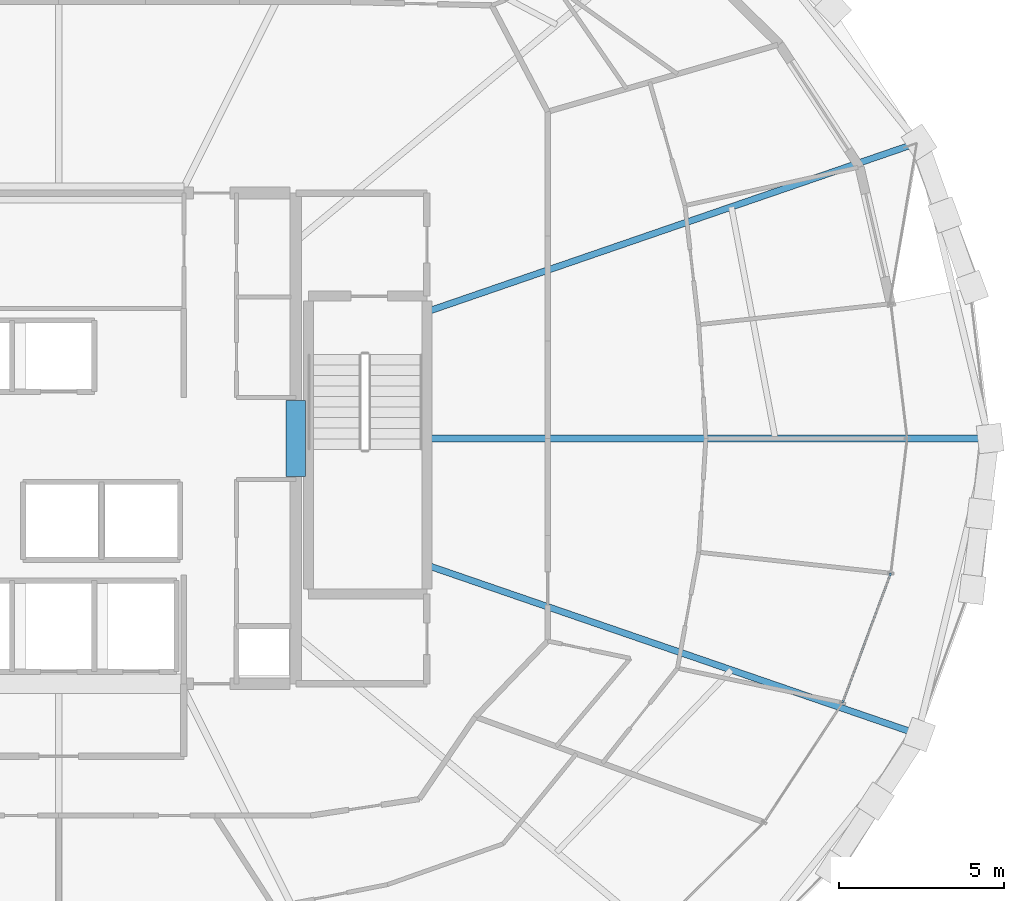
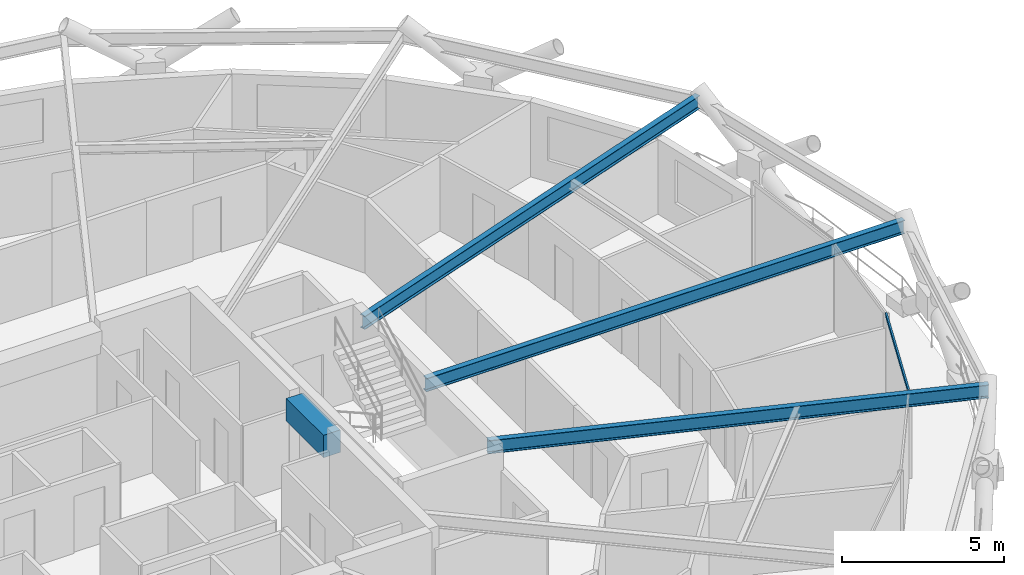
# One storey, part 10 of 20: 4 beams, 1 member, 1 element without a shape of its own.
"""IFC4 building model written with IfcOpenShell, lengths in metres."""

from ifc_helpers import new_model, si_unit, direction, frame, origin, origin_2d, place, context, subcontext, project, spatial, rectangle, hollow_rectangle, i_section, extrude, material, layer, layer_set, material_profile, profile_set, type_object, element, aggregate, save


model = new_model("IFC4")

# Units and contexts
model_context = context("Model", 3, precision=1e-05, world=origin(), true_north=direction((0.0, 1.0)))
body_context = subcontext(model_context, "Body", "Model", "MODEL_VIEW")
ifc_project = project(units=[si_unit("LENGTHUNIT", "METRE"), si_unit("AREAUNIT", "SQUARE_METRE"), si_unit("VOLUMEUNIT", "CUBIC_METRE"), si_unit("PLANEANGLEUNIT", "RADIAN"), si_unit("MASSUNIT", "GRAM", prefix="KILO")], contexts=[model_context])

# Site, building, storey
site_placement = place(None, origin())
site = spatial("IfcSite", under=ifc_project, at=site_placement, CompositionType="ELEMENT")
building_placement = place(site_placement, origin())
building = spatial("IfcBuilding", under=site, at=building_placement, Name="Veldorina Hangang Commons", CompositionType="ELEMENT")
storey_placement = place(building_placement, frame((0.0, 0.0, 153.199951171875)))
storey = spatial("IfcBuildingStorey", under=building, at=storey_placement, Name="L39", CompositionType="ELEMENT", Elevation=153.199951171875)

# Beams
ifc_material_1 = material(Name="Concrete C60/75", Category="concrete")
ifc_material_profile_1 = material_profile(ifc_material_1, rectangle(XDim=0.60009765625, YDim=0.85009765625, at=origin_2d()), Name="RC-CB-600x850")
ifc_profile_set_1 = profile_set([ifc_material_profile_1], Name="Concrete C60/75")
beam_type_1 = type_object("IfcBeamType", Name="BM-CB850", PredefinedType="LINTEL", material=ifc_profile_set_1)
beam_1_placement = place(storey_placement, frame((39.199951171875, 22.85009765625, 2.925048828125), z_axis=(0.0, 1.0, 0.0), x_axis=(-1.0, 0.0, 0.0)))
element("IfcBeam", 1, at=beam_1_placement, inside=storey, type_object=beam_type_1, Name="L39 E core coupling lintel beam", PredefinedType="LINTEL", context=body_context, shape_type="SweptSolid", body=[
    extrude(rectangle(XDim=0.60009765625, YDim=0.85009765625, at=origin_2d()), origin(), (0.0, 0.0, 1.0), 2.2998046875),
])
ifc_material_2 = material(Name="Steel SM420-TMC", Category="steel")
ifc_material_profile_2 = material_profile(ifc_material_2, i_section(OverallWidth=0.199951171875, OverallDepth=0.5, WebThickness=0.010009765625, FlangeThickness=0.01611328125, FilletRadius=0.01611328125, at=origin_2d()), Name="H-500x200x10x16")
ifc_profile_set_2 = profile_set([ifc_material_profile_2], Name="Steel SM420-TMC")
beam_type_2 = type_object("IfcBeamType", Name="BM-FG500", PredefinedType="BEAM", material=ifc_profile_set_2)
beam_2_placement = place(storey_placement, frame((43.179931640625, 24.0, 3.10009765625), z_axis=(1.0, 0.0, 0.0), x_axis=(0.0, 1.0, 0.0)))
element("IfcBeam", 2, at=beam_2_placement, inside=storey, type_object=beam_type_2, Name="L39 radial floor girder 01", PredefinedType="BEAM", context=body_context, shape_type="SweptSolid", body=[
    extrude(i_section(OverallWidth=0.199951171875, OverallDepth=0.5, WebThickness=0.010009765625, FlangeThickness=0.01611328125, FilletRadius=0.01611328125, at=origin_2d()), origin(), (0.0, 0.0, 1.0), 17.061279296875),
])
for number, where, z_axis, x_axis, name in (
    (3, (43.179931640625, 27.848388671875, 3.10009765625), (0.94555117652, 0.325473459104, 0.0), (-0.325473459104, 0.94555117652, 0.0), "L39 radial floor girder 02"),
    (4, (43.179931640625, 20.151611328125, 3.10009765625), (0.94555117652, -0.325473459104, 0.0), (0.325473459104, 0.94555117652, 0.0), "L39 radial floor girder 16"),
):
    element("IfcBeam", number, at=place(storey_placement, frame(where, z_axis=z_axis, x_axis=x_axis)), inside=storey, type_object=beam_type_2, Name=name, PredefinedType="BEAM", context=body_context, shape_type="SweptSolid", body=[
        extrude(i_section(OverallWidth=0.199951171875, OverallDepth=0.5, WebThickness=0.010009765625, FlangeThickness=0.01611328125, FilletRadius=0.01611328125, at=origin_2d()), origin(), (0.0, 0.0, 1.0), 15.770263671875),
    ])

# Curtain wall, member
ifc_material_3 = material(Name="Glass Low-E Triple IGU", Category="glass")
ifc_layer = layer(ifc_material_3, 0.179931640625)
ifc_layer_set = layer_set([ifc_layer], Name="Glass Low-E Triple IGU")
curtain_wall_type = type_object("IfcCurtainWallType", Name="CW-SYS-Z2", PredefinedType="NOTDEFINED", material=ifc_layer_set)
curtain_wall_placement = place(storey_placement, origin())
curtain_wall = element("IfcCurtainWall", 5, at=curtain_wall_placement, inside=storey, type_object=curtain_wall_type, Name="L39 unitised curtain wall CW-L39-R2", PredefinedType="NOTDEFINED")
ifc_material_4 = material(Name="Aluminium Anodized AA6063-T6", Category="aluminium")
ifc_material_profile_3 = material_profile(ifc_material_4, hollow_rectangle(XDim=0.06005859375, YDim=0.139892578125, WallThickness=0.00341796875, at=origin_2d()), Name="ALU-RHS-140x60x3.5")
ifc_profile_set_3 = profile_set([ifc_material_profile_3], Name="Aluminium Anodized AA6063-T6")
member_type = type_object("IfcMemberType", Name="CW-TRN-140", PredefinedType="USERDEFINED", material=ifc_profile_set_3)
member_placement = place(storey_placement, frame((55.7998046875, 15.97265625, 3.27001953125), z_axis=(0.349070982774, 0.937096285867, 0.0), x_axis=(-0.937096285867, 0.349070982774, 0.0)))
member = element("IfcMember", 6, at=member_placement, type_object=member_type, Name="CW-L39-R2 facet 3 transom 1", ObjectType="TRANSOM", PredefinedType="USERDEFINED", context=body_context, shape_type="SweptSolid", body=[
    extrude(hollow_rectangle(XDim=0.06005859375, YDim=0.139892578125, WallThickness=0.00341796875, at=origin_2d()), origin(), (0.0, 0.0, 1.0), 4.19921875),
])
aggregate(curtain_wall, [member])

save(model, "model.ifc")
